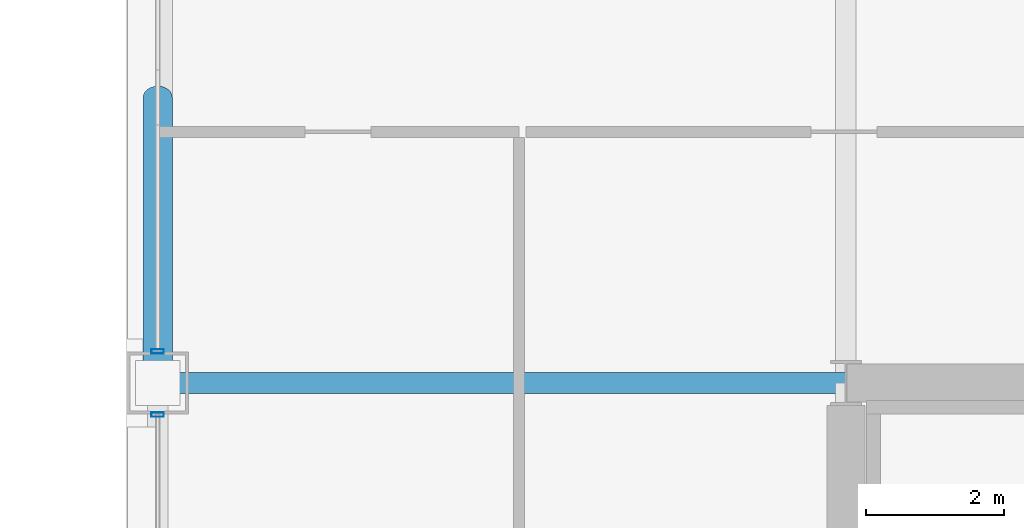
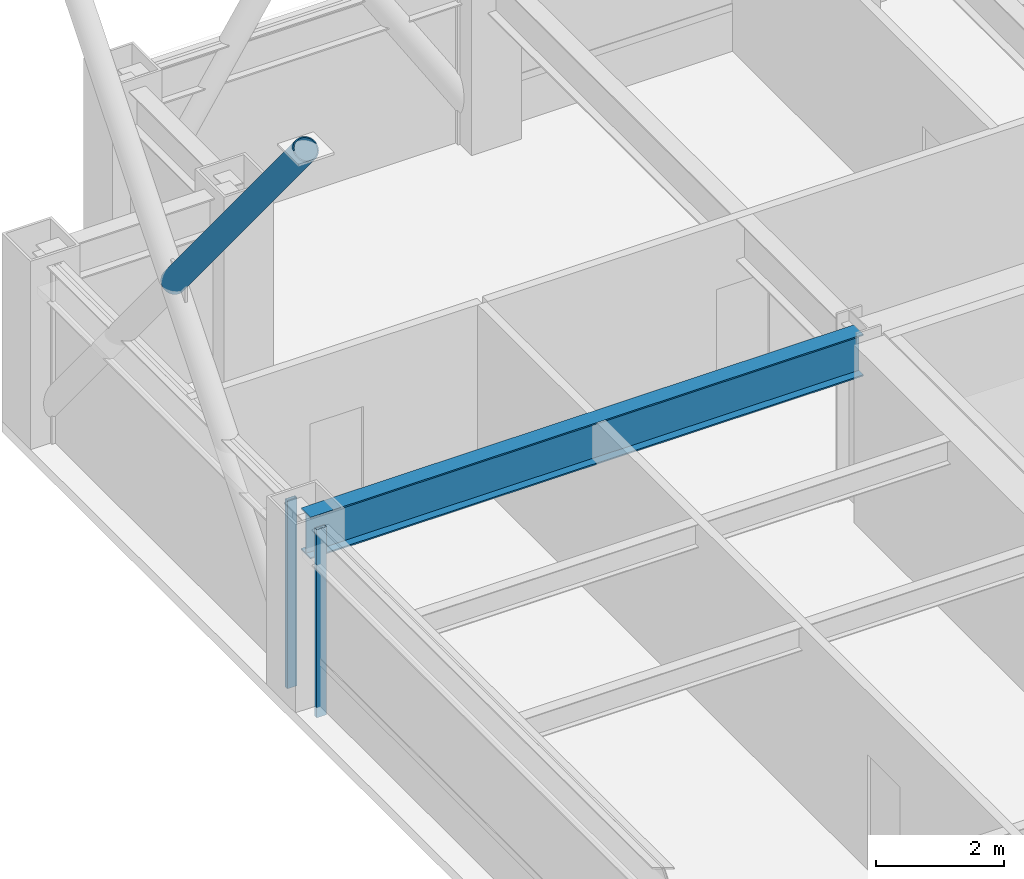
# One storey, part 15 of 29: 3 members, 1 beam, 2 elements without a shape of their own.
"""IFC4 building model written with IfcOpenShell, lengths in metres."""

from ifc_helpers import new_model, si_unit, direction, frame, origin, origin_2d, place, context, subcontext, project, spatial, hollow_rectangle, hollow_circle, i_section, extrude, material, layer, layer_set, material_profile, profile_set, type_object, element, aggregate, save


model = new_model("IFC4")

# Units and contexts
model_context = context("Model", 3, precision=1e-05, world=origin(), true_north=direction((0.0, 1.0)))
body_context = subcontext(model_context, "Body", "Model", "MODEL_VIEW")
ifc_project = project(units=[si_unit("LENGTHUNIT", "METRE"), si_unit("AREAUNIT", "SQUARE_METRE"), si_unit("VOLUMEUNIT", "CUBIC_METRE"), si_unit("PLANEANGLEUNIT", "RADIAN"), si_unit("MASSUNIT", "GRAM", prefix="KILO")], contexts=[model_context])

# Site, building, storey
site_placement = place(None, origin())
site = spatial("IfcSite", under=ifc_project, at=site_placement, CompositionType="ELEMENT")
building_placement = place(site_placement, origin())
building = spatial("IfcBuilding", under=site, at=building_placement, Name="Brelmoor Portico Tower", CompositionType="ELEMENT")
storey_placement = place(building_placement, frame((0.0, 0.0, 67.199951171875)))
storey = spatial("IfcBuildingStorey", under=building, at=storey_placement, Name="L17", CompositionType="ELEMENT", Elevation=67.199951171875)

# Beam
ifc_material_1 = material(Name="Steel Q355B", Category="steel")
ifc_material_profile_1 = material_profile(ifc_material_1, i_section(OverallWidth=0.300048828125, OverallDepth=0.800048828125, WebThickness=0.013916015625, FlangeThickness=0.02587890625, at=origin_2d()), Name="HN 800x300x14x26")
ifc_profile_set_1 = profile_set([ifc_material_profile_1], Name="Steel Q355B")
beam_type = type_object("IfcBeamType", Name="BM-PG-800", PredefinedType="BEAM", material=ifc_profile_set_1)
beam_placement = place(storey_placement, frame((-24.550048828125, 9.75, 3.0), z_axis=(1.0, 0.0, 0.0), x_axis=(0.0, 1.0, 0.0)))
element("IfcBeam", 1, at=beam_placement, inside=storey, type_object=beam_type, Name="L17 Primary Floor Girder PG-27", PredefinedType="BEAM", context=body_context, shape_type="SweptSolid", body=[
    extrude(i_section(OverallWidth=0.300048828125, OverallDepth=0.800048828125, WebThickness=0.013916015625, FlangeThickness=0.02587890625, at=origin_2d()), origin(), (0.0, 0.0, 1.0), 10.0),
])

# Member
ifc_material_profile_2 = material_profile(ifc_material_1, hollow_circle(Radius=0.212890625, WallThickness=0.02001953125, at=origin_2d()), Name="CHS 426x20")
ifc_profile_set_2 = profile_set([ifc_material_profile_2], Name="Steel Q355B")
member_type_1 = type_object("IfcMemberType", Name="MB-BELT-DIAG1", PredefinedType="BRACE", material=ifc_profile_set_2)
member_1_placement = place(storey_placement, frame((-24.550048828125, 13.89990234375, 5.300048828125), z_axis=(0.0, -0.634889952641, 0.772602580914), x_axis=(1.0, 0.0, 0.0)))
element("IfcMember", 2, at=member_1_placement, inside=storey, type_object=member_type_1, Name="L17 Split Mega-X Brace 039B2", PredefinedType="BRACE", context=body_context, shape_type="SweptSolid", body=[
    extrude(hollow_circle(Radius=0.212890625, WallThickness=0.02001953125, at=origin_2d()), origin(), (0.0, 0.0, 1.0), 6.536376953125),
])

# Curtain wall, member
ifc_material_2 = material(Name="Anodised Aluminium Alloy 6063-T6", Category="aluminium")
ifc_layer_1 = layer(ifc_material_2, 0.179931640625)
ifc_layer_set_1 = layer_set([ifc_layer_1], Name="Anodised Aluminium Alloy 6063-T6")
curtain_wall_type_1 = type_object("IfcCurtainWallType", Name="CW-TOWER-Z1", PredefinedType="NOTDEFINED", material=ifc_layer_set_1)
curtain_wall_1_placement = place(storey_placement, origin())
curtain_wall_1 = element("IfcCurtainWall", 3, at=curtain_wall_1_placement, inside=storey, type_object=curtain_wall_type_1, Name="L17 Curtain Wall CW-L17-3R-1", PredefinedType="NOTDEFINED")
ifc_material_profile_3 = material_profile(ifc_material_2, hollow_rectangle(XDim=0.06494140625, YDim=0.179931640625, WallThickness=0.00390625, at=origin_2d()), Name="ALU MULLION 65x180")
ifc_profile_set_3 = profile_set([ifc_material_profile_3], Name="Anodised Aluminium Alloy 6063-T6")
member_type_2 = type_object("IfcMemberType", Name="MB-CW-MULL-180", PredefinedType="MULLION", material=ifc_profile_set_3)
member_2_placement = place(storey_placement, frame((-24.550048828125, 9.2900390625, -0.199951171875), z_axis=(0.0, 0.0, 1.0), x_axis=(0.0, 1.0, 0.0)))
member_2 = element("IfcMember", 4, at=member_2_placement, type_object=member_type_2, Name="CW-L17-3R-1 Mullion 01", PredefinedType="MULLION", context=body_context, shape_type="SweptSolid", body=[
    extrude(hollow_rectangle(XDim=0.06494140625, YDim=0.179931640625, WallThickness=0.00390625, at=origin_2d()), origin(), (0.0, 0.0, 1.0), 3.60009765625),
])
aggregate(curtain_wall_1, [member_2])

ifc_layer_2 = layer(ifc_material_2, 0.179931640625)
ifc_layer_set_2 = layer_set([ifc_layer_2], Name="Anodised Aluminium Alloy 6063-T6")
curtain_wall_type_2 = type_object("IfcCurtainWallType", Name="CW-TOWER-Z1-XB", PredefinedType="NOTDEFINED", material=ifc_layer_set_2)
curtain_wall_2_placement = place(storey_placement, origin())
curtain_wall_2 = element("IfcCurtainWall", 5, at=curtain_wall_2_placement, inside=storey, type_object=curtain_wall_type_2, Name="L17 Curtain Wall CW-L17-3R-2", PredefinedType="NOTDEFINED")
member_3_placement = place(storey_placement, frame((-24.550048828125, 10.2099609375, -0.199951171875), z_axis=(0.0, 0.0, 1.0), x_axis=(0.0, 1.0, 0.0)))
member_3 = element("IfcMember", 6, at=member_3_placement, type_object=member_type_2, Name="CW-L17-3R-2 Mullion 00", PredefinedType="MULLION", context=body_context, shape_type="SweptSolid", body=[
    extrude(hollow_rectangle(XDim=0.06494140625, YDim=0.179931640625, WallThickness=0.00390625, at=origin_2d()), origin(), (0.0, 0.0, 1.0), 3.60009765625),
])
aggregate(curtain_wall_2, [member_3])

save(model, "model.ifc")
